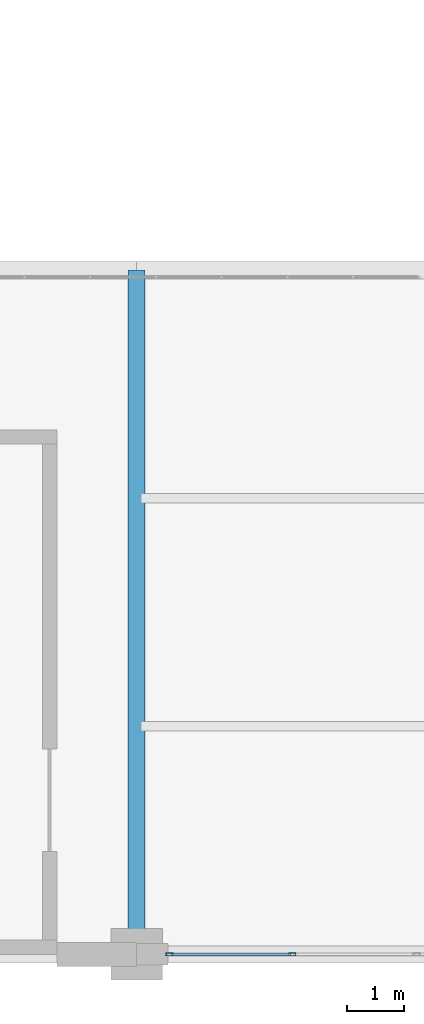
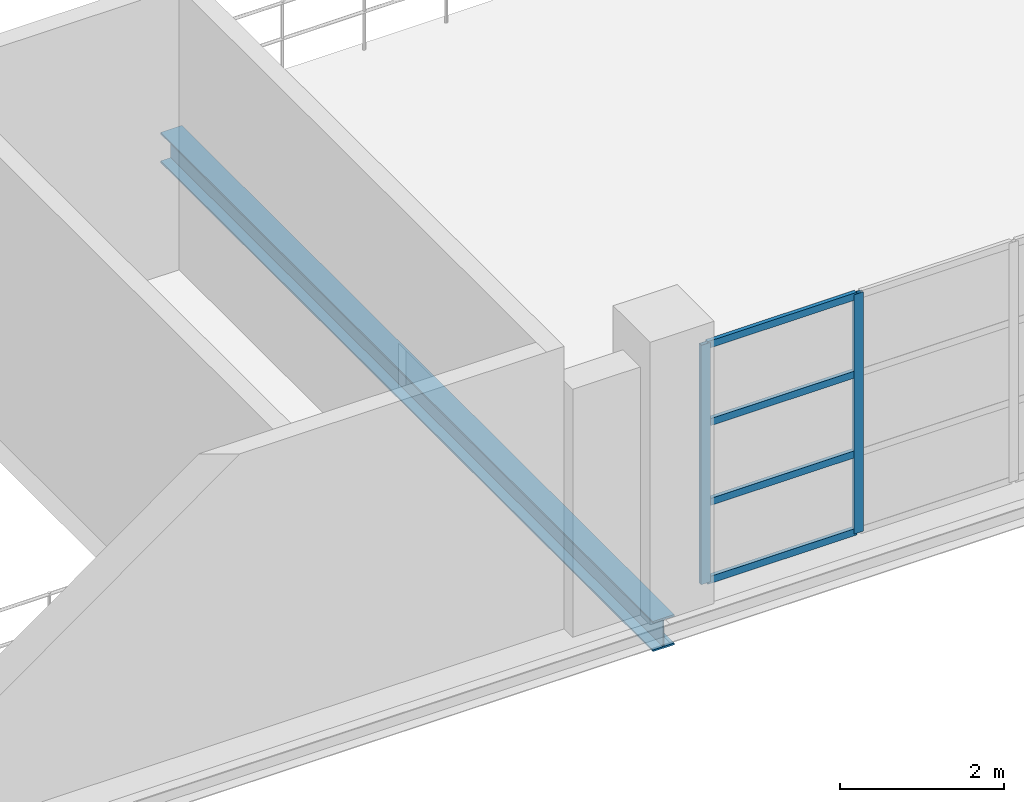
# One storey, part 65 of 158: 6 members, 1 beam, 1 element without a shape of its own.
"""IFC4 building model written with IfcOpenShell, lengths in metres."""

from ifc_helpers import new_model, si_unit, direction, frame, origin, origin_2d, place, context, subcontext, project, spatial, hollow_rectangle, i_section, extrude, material, layer, layer_set, material_profile, profile_set, type_object, element, aggregate, save


model = new_model("IFC4")

# Units and contexts
model_context = context("Model", 3, precision=1e-05, world=origin(), true_north=direction((0.0, 1.0)))
body_context = subcontext(model_context, "Body", "Model", "MODEL_VIEW")
ifc_project = project(units=[si_unit("LENGTHUNIT", "METRE"), si_unit("AREAUNIT", "SQUARE_METRE"), si_unit("VOLUMEUNIT", "CUBIC_METRE"), si_unit("PLANEANGLEUNIT", "RADIAN"), si_unit("MASSUNIT", "GRAM", prefix="KILO")], contexts=[model_context])

# Site, building, storey
site_placement = place(None, origin())
site = spatial("IfcSite", under=ifc_project, at=site_placement, CompositionType="ELEMENT")
building_placement = place(site_placement, origin())
building = spatial("IfcBuilding", under=site, at=building_placement, Name="Zilviju Railside Exhibition Hall", CompositionType="ELEMENT")
storey_placement = place(building_placement, frame((0.0, 0.0, 4.199951171875)))
storey = spatial("IfcBuildingStorey", under=building, at=storey_placement, Name="L02", CompositionType="ELEMENT", Elevation=4.199951171875)

# Beam
ifc_material_1 = material(Name="Steel S355J2", Category="steel")
ifc_material_profile_1 = material_profile(ifc_material_1, i_section(OverallWidth=0.300048828125, OverallDepth=0.449951171875, WebThickness=0.013916015625, FlangeThickness=0.02587890625, at=origin_2d()), Name="HEB 450")
ifc_profile_set_1 = profile_set([ifc_material_profile_1], Name="Steel S355J2")
beam_type = type_object("IfcBeamType", Name="BM-HEB450", PredefinedType="BEAM", material=ifc_profile_set_1)
beam_placement = place(storey_placement, frame((156.0, 0.0, -0.554931640625), z_axis=(0.0, 1.0, 0.0), x_axis=(-1.0, 0.0, 0.0)))
element("IfcBeam", 1, at=beam_placement, inside=storey, type_object=beam_type, Name="Transverse Girder L02 X=156.0 (0.0..12.0)", PredefinedType="BEAM", context=body_context, shape_type="SweptSolid", body=[
    extrude(i_section(OverallWidth=0.300048828125, OverallDepth=0.449951171875, WebThickness=0.013916015625, FlangeThickness=0.02587890625, at=origin_2d()), origin(), (0.0, 0.0, 1.0), 12.0),
])

# Curtain wall, members
ifc_material_2 = material(Name="Thermally broken aluminium-steel triple-glazed curtain wall", Category="steel")
ifc_layer = layer(ifc_material_2, 0.179931640625)
ifc_layer_set = layer_set([ifc_layer], Name="Thermally broken aluminium-steel triple-glazed curtain wall")
curtain_wall_type = type_object("IfcCurtainWallType", Name="CW-BAY-12", PredefinedType="USERDEFINED", material=ifc_layer_set)
curtain_wall_placement = place(storey_placement, origin())
curtain_wall = element("IfcCurtainWall", 2, at=curtain_wall_placement, inside=storey, type_object=curtain_wall_type, Name="South Hall Facade Curtain Wall L02 (156..168)", ObjectType="GLAZED CURTAIN WALL", PredefinedType="USERDEFINED")
ifc_material_3 = material(Name="Thermally broken anodized aluminium mullion", Category="aluminium")
ifc_material_profile_2 = material_profile(ifc_material_3, hollow_rectangle(XDim=0.054931640625, YDim=0.1298828125, WallThickness=0.0048828125, at=origin_2d()), Name="MULLION 130x55x5")
ifc_profile_set_2 = profile_set([ifc_material_profile_2], Name="Thermally broken anodized aluminium mullion")
member_type_1 = type_object("IfcMemberType", Name="CWM-55x130", PredefinedType="MULLION", material=ifc_profile_set_2)
member_1_placement = place(storey_placement, frame((158.72998046875, 0.0, 0.0), z_axis=(0.0, 0.0, 1.0), x_axis=(0.0, -1.0, 0.0)))
member_1 = element("IfcMember", 3, at=member_1_placement, type_object=member_type_1, Name="CW-12 mullion 5", PredefinedType="MULLION", context=body_context, shape_type="SweptSolid", body=[
    extrude(hollow_rectangle(XDim=0.054931640625, YDim=0.1298828125, WallThickness=0.0048828125, at=origin_2d()), origin(), (0.0, 0.0, 1.0), 3.56005859375),
])
member_2_placement = place(storey_placement, frame((156.577392578125, 0.0, 0.0), z_axis=(0.0, 0.0, 1.0), x_axis=(0.0, -1.0, 0.0)))
member_2 = element("IfcMember", 4, at=member_2_placement, type_object=member_type_1, Name="CW-12 mullion 6", PredefinedType="MULLION", context=body_context, shape_type="SweptSolid", body=[
    extrude(hollow_rectangle(XDim=0.054931640625, YDim=0.1298828125, WallThickness=0.0048828125, at=origin_2d()), origin(), (0.0, 0.0, 1.0), 3.56005859375),
])
ifc_material_4 = material(Name="Thermally broken anodized aluminium transom", Category="aluminium")
ifc_material_profile_3 = material_profile(ifc_material_4, hollow_rectangle(XDim=0.054931640625, YDim=0.10498046875, WallThickness=0.0048828125, at=origin_2d()), Name="TRANSOM 105x55x5")
ifc_profile_set_3 = profile_set([ifc_material_profile_3], Name="Thermally broken anodized aluminium transom")
member_type_2 = type_object("IfcMemberType", Name="CWT-55x105", PredefinedType="USERDEFINED", material=ifc_profile_set_3)
member_3_placement = place(storey_placement, frame((158.702392578125, 0.0, 0.027587890625), z_axis=(-1.0, 0.0, 0.0), x_axis=(0.0, -1.0, 0.0)))
member_3 = element("IfcMember", 5, at=member_3_placement, type_object=member_type_2, Name="CW-12 transom 5.1", ObjectType="TRANSOM", PredefinedType="USERDEFINED", context=body_context, shape_type="SweptSolid", body=[
    extrude(hollow_rectangle(XDim=0.054931640625, YDim=0.10498046875, WallThickness=0.0048828125, at=origin_2d()), origin(), (0.0, 0.0, 1.0), 2.097412109375),
])
member_4_placement = place(storey_placement, frame((158.702392578125, 0.0, 1.18701171875), z_axis=(-1.0, 0.0, 0.0), x_axis=(0.0, -1.0, 0.0)))
member_4 = element("IfcMember", 6, at=member_4_placement, type_object=member_type_2, Name="CW-12 transom 5.2", ObjectType="TRANSOM", PredefinedType="USERDEFINED", context=body_context, shape_type="SweptSolid", body=[
    extrude(hollow_rectangle(XDim=0.054931640625, YDim=0.10498046875, WallThickness=0.0048828125, at=origin_2d()), origin(), (0.0, 0.0, 1.0), 2.097412109375),
])
member_5_placement = place(storey_placement, frame((158.702392578125, 0.0, 2.373046875), z_axis=(-1.0, 0.0, 0.0), x_axis=(0.0, -1.0, 0.0)))
member_5 = element("IfcMember", 7, at=member_5_placement, type_object=member_type_2, Name="CW-12 transom 5.3", ObjectType="TRANSOM", PredefinedType="USERDEFINED", context=body_context, shape_type="SweptSolid", body=[
    extrude(hollow_rectangle(XDim=0.054931640625, YDim=0.10498046875, WallThickness=0.0048828125, at=origin_2d()), origin(), (0.0, 0.0, 1.0), 2.097412109375),
])
member_6_placement = place(storey_placement, frame((158.702392578125, 0.0, 3.532470703125), z_axis=(-1.0, 0.0, 0.0), x_axis=(0.0, -1.0, 0.0)))
member_6 = element("IfcMember", 8, at=member_6_placement, type_object=member_type_2, Name="CW-12 transom 5.4", ObjectType="TRANSOM", PredefinedType="USERDEFINED", context=body_context, shape_type="SweptSolid", body=[
    extrude(hollow_rectangle(XDim=0.054931640625, YDim=0.10498046875, WallThickness=0.0048828125, at=origin_2d()), origin(), (0.0, 0.0, 1.0), 2.097412109375),
])
aggregate(curtain_wall, [member_1, member_2, member_3, member_4, member_5, member_6])

save(model, "model.ifc")
